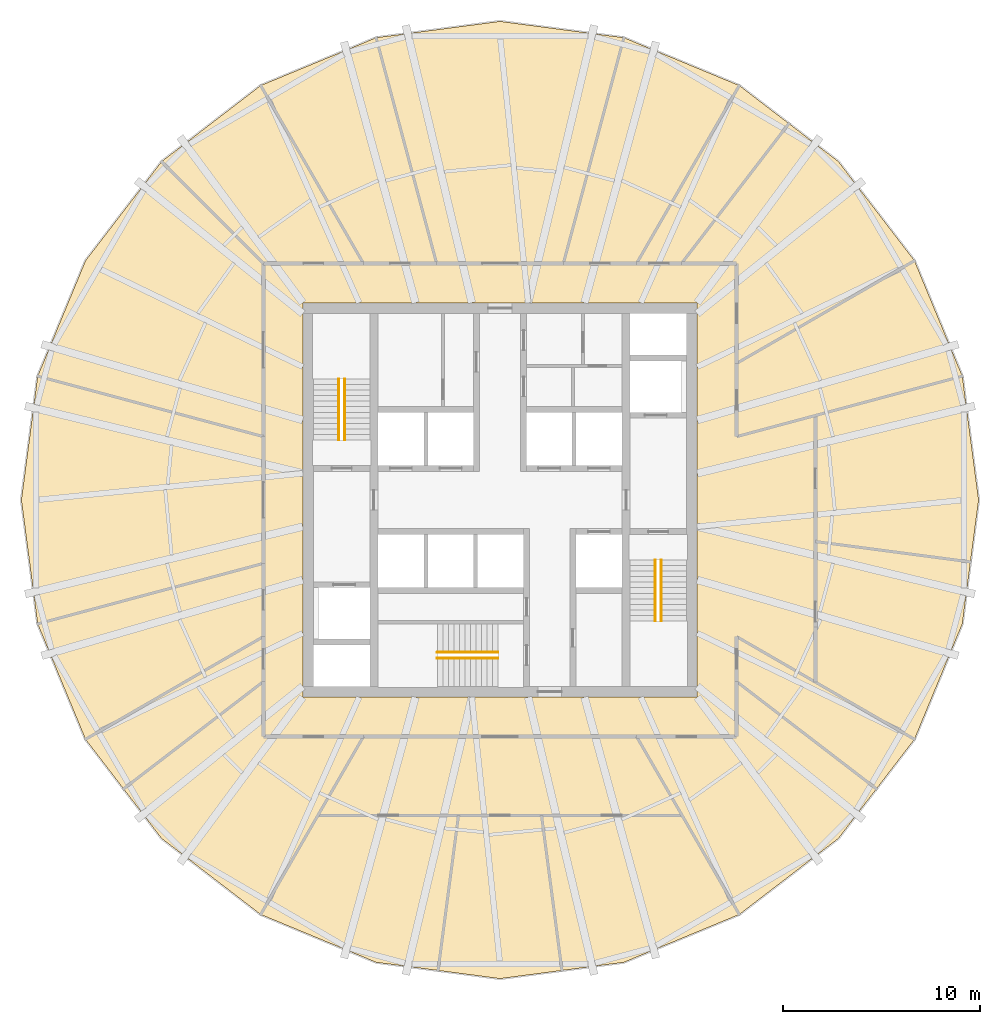
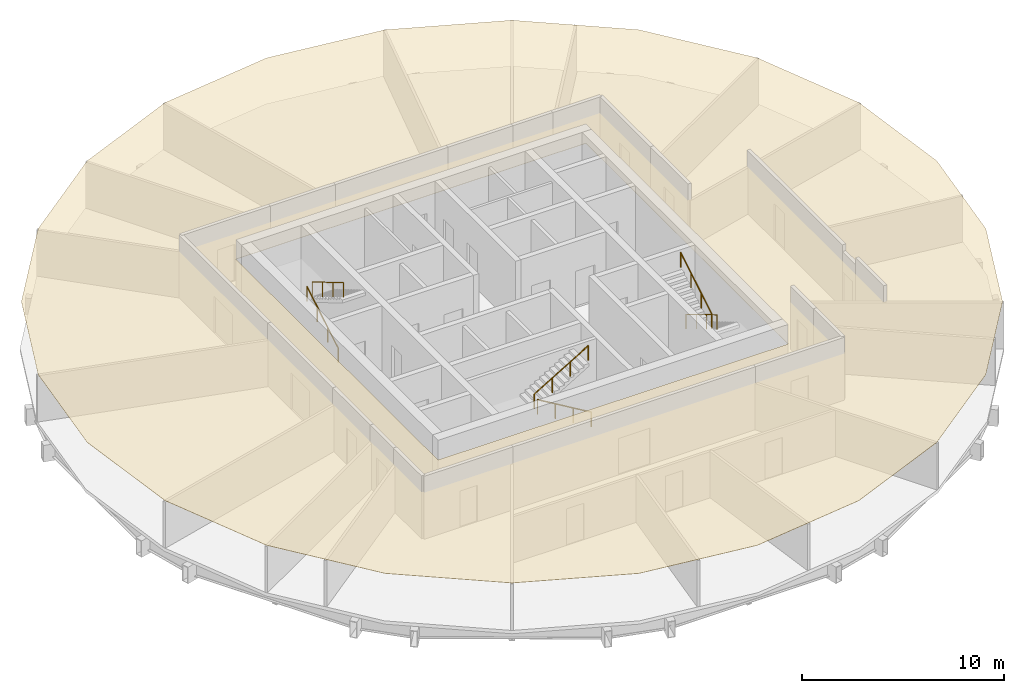
# One storey, part 6 of 6: 6 railings, 1 covering.
"""IFC4 building model written with IfcOpenShell, lengths in metres."""

from ifc_helpers import new_model, si_unit, direction, frame, origin, origin_2d, place, context, subcontext, project, spatial, polyline, circle, outline, extrude, material, layer, layer_set, type_object, element, save


model = new_model("IFC4")

# Units and contexts
model_context = context("Model", 3, precision=1e-05, world=origin(), true_north=direction((0.0, 1.0)))
body_context = subcontext(model_context, "Body", "Model", "MODEL_VIEW")
ifc_project = project(units=[si_unit("LENGTHUNIT", "METRE"), si_unit("AREAUNIT", "SQUARE_METRE"), si_unit("VOLUMEUNIT", "CUBIC_METRE"), si_unit("PLANEANGLEUNIT", "RADIAN"), si_unit("MASSUNIT", "GRAM", prefix="KILO")], contexts=[model_context])

# Site, building, storey
site_placement = place(None, origin())
site = spatial("IfcSite", under=ifc_project, at=site_placement, CompositionType="ELEMENT")
building_placement = place(site_placement, origin())
building = spatial("IfcBuilding", under=site, at=building_placement, Name="Golbaran Civic Tower", CompositionType="ELEMENT")
storey_placement = place(building_placement, frame((0.0, 0.0, 138.0)))
storey = spatial("IfcBuildingStorey", under=building, at=storey_placement, Name="L33", CompositionType="ELEMENT", Elevation=138.0)

# Railings
ifc_material_1 = material(Name="Stainless steel", Category="steel")
railing_type = type_object("IfcRailingType", Name="STAIR HANDRAIL 900", PredefinedType="HANDRAIL", material=ifc_material_1)
railing_1_placement = place(storey_placement, frame((-8.175048828125, 3.050048828125, 0.166748046875)))
element("IfcRailing", 1, at=railing_1_placement, inside=storey, type_object=railing_type, Name="Stair S1 handrail flight 1 L33", PredefinedType="HANDRAIL", context=body_context, shape_type="SweptSolid", body=[
    extrude(circle(Radius=0.02392578125, at=origin_2d()), frame((0.0, 0.0, 0.8759765625), z_axis=(0.0, 0.859290745958, 0.51148745235), x_axis=(-1.0, 0.0, 0.0)), (0.0, 0.0, 1.0), 3.584228515625),
    extrude(circle(Radius=0.02099609375, at=origin_2d()), origin(), (0.0, 0.0, 1.0), 0.851806640625),
    extrude(circle(Radius=0.02099609375, at=origin_2d()), frame((0.0, 1.026611328125, 0.611083984375)), (0.0, 0.0, 1.0), 0.851806640625),
    extrude(circle(Radius=0.02099609375, at=origin_2d()), frame((0.0, 2.05322265625, 1.22216796875)), (0.0, 0.0, 1.0), 0.851806640625),
    extrude(circle(Radius=0.02099609375, at=origin_2d()), frame((0.0, 3.079833984375, 1.833251953125)), (0.0, 0.0, 1.0), 0.851806640625),
])
for number, where, name in (
    (2, (-7.875, 6.1298828125, 2.166748046875), "Stair S1 handrail flight 2 L33"),
    (3, (8.175048828125, -3.050048828125, 0.166748046875), "Stair S2 handrail flight 1 L33"),
):
    element("IfcRailing", number, at=place(storey_placement, frame(where)), inside=storey, type_object=railing_type, Name=name, PredefinedType="HANDRAIL", context=body_context, shape_type="SweptSolid", body=[
        extrude(circle(Radius=0.02392578125, at=origin_2d()), frame((0.0, 0.0, 0.8759765625), z_axis=(0.0, -0.859290745958, 0.51148745235), x_axis=(1.0, 0.0, 0.0)), (0.0, 0.0, 1.0), 3.584228515625),
        extrude(circle(Radius=0.02099609375, at=origin_2d()), origin(), (0.0, 0.0, 1.0), 0.851806640625),
        extrude(circle(Radius=0.02099609375, at=origin_2d()), frame((0.0, -1.026611328125, 0.611083984375)), (0.0, 0.0, 1.0), 0.851806640625),
        extrude(circle(Radius=0.02099609375, at=origin_2d()), frame((0.0, -2.05322265625, 1.22216796875)), (0.0, 0.0, 1.0), 0.851806640625),
        extrude(circle(Radius=0.02099609375, at=origin_2d()), frame((0.0, -3.079833984375, 1.833251953125)), (0.0, 0.0, 1.0), 0.851806640625),
    ])
railing_2_placement = place(storey_placement, frame((7.875, -6.1298828125, 2.166748046875)))
element("IfcRailing", 4, at=railing_2_placement, inside=storey, type_object=railing_type, Name="Stair S2 handrail flight 2 L33", PredefinedType="HANDRAIL", context=body_context, shape_type="SweptSolid", body=[
    extrude(circle(Radius=0.02392578125, at=origin_2d()), frame((0.0, 0.0, 0.8759765625), z_axis=(0.0, 0.859290745958, 0.51148745235), x_axis=(-1.0, 0.0, 0.0)), (0.0, 0.0, 1.0), 3.584228515625),
    extrude(circle(Radius=0.02099609375, at=origin_2d()), origin(), (0.0, 0.0, 1.0), 0.851806640625),
    extrude(circle(Radius=0.02099609375, at=origin_2d()), frame((0.0, 1.026611328125, 0.611083984375)), (0.0, 0.0, 1.0), 0.851806640625),
    extrude(circle(Radius=0.02099609375, at=origin_2d()), frame((0.0, 2.05322265625, 1.22216796875)), (0.0, 0.0, 1.0), 0.851806640625),
    extrude(circle(Radius=0.02099609375, at=origin_2d()), frame((0.0, 3.079833984375, 1.833251953125)), (0.0, 0.0, 1.0), 0.851806640625),
])
railing_3_placement = place(storey_placement, frame((-0.10009765625, -8.02490234375, 0.166748046875)))
element("IfcRailing", 5, at=railing_3_placement, inside=storey, type_object=railing_type, Name="Stair S3 handrail flight 1 L33", PredefinedType="HANDRAIL", context=body_context, shape_type="SweptSolid", body=[
    extrude(circle(Radius=0.02392578125, at=origin_2d()), frame((0.0, 0.0, 0.8759765625), z_axis=(-0.859290745958, 0.0, 0.51148745235), x_axis=(0.0, -1.0, 0.0)), (0.0, 0.0, 1.0), 3.584228515625),
    extrude(circle(Radius=0.02099609375, at=origin_2d()), origin(), (0.0, 0.0, 1.0), 0.851806640625),
    extrude(circle(Radius=0.02099609375, at=origin_2d()), frame((-1.026611328125, 0.0, 0.611083984375)), (0.0, 0.0, 1.0), 0.851806640625),
    extrude(circle(Radius=0.02099609375, at=origin_2d()), frame((-2.05322265625, 0.0, 1.22216796875)), (0.0, 0.0, 1.0), 0.851806640625),
    extrude(circle(Radius=0.02099609375, at=origin_2d()), frame((-3.079833984375, 0.0, 1.833251953125)), (0.0, 0.0, 1.0), 0.851806640625),
])
railing_4_placement = place(storey_placement, frame((-3.179931640625, -7.72509765625, 2.166748046875)))
element("IfcRailing", 6, at=railing_4_placement, inside=storey, type_object=railing_type, Name="Stair S3 handrail flight 2 L33", PredefinedType="HANDRAIL", context=body_context, shape_type="SweptSolid", body=[
    extrude(circle(Radius=0.02392578125, at=origin_2d()), frame((0.0, 0.0, 0.8759765625), z_axis=(0.859290745958, 0.0, 0.51148745235), x_axis=(0.0, 1.0, 0.0)), (0.0, 0.0, 1.0), 3.584228515625),
    extrude(circle(Radius=0.02099609375, at=origin_2d()), origin(), (0.0, 0.0, 1.0), 0.851806640625),
    extrude(circle(Radius=0.02099609375, at=origin_2d()), frame((1.026611328125, 0.0, 0.611083984375)), (0.0, 0.0, 1.0), 0.851806640625),
    extrude(circle(Radius=0.02099609375, at=origin_2d()), frame((2.05322265625, 0.0, 1.22216796875)), (0.0, 0.0, 1.0), 0.851806640625),
    extrude(circle(Radius=0.02099609375, at=origin_2d()), frame((3.079833984375, 0.0, 1.833251953125)), (0.0, 0.0, 1.0), 0.851806640625),
])

# Covering
ifc_material_2 = material(Name="Mineral fibre tile on steel grid", Category="steel")
ifc_layer = layer(ifc_material_2, 0.02001953125, Name="Mineral fibre tile on steel grid")
ifc_layer_set = layer_set([ifc_layer], Name="Mineral fibre tile on steel grid")
covering_type = type_object("IfcCoveringType", Name="SUSPENDED CEILING 600 TILE 20", PredefinedType="CEILING", material=ifc_layer_set)
covering_placement = place(storey_placement, frame((0.0, 0.0, 2.800048828125)))
element("IfcCovering", 7, at=covering_placement, inside=storey, type_object=covering_type, Name="Suspended ceiling L33", PredefinedType="CEILING", context=body_context, shape_type="SweptSolid", body=[
    extrude(outline(polyline([(-21.022705078125, 12.137451171875), (-17.1650390625, 17.1650390625), (-12.137451171875, 21.022705078125), (-6.28271484375, 23.44775390625), (0.0, 24.27490234375), (6.28271484375, 23.44775390625), (12.137451171875, 21.022705078125), (17.1650390625, 17.1650390625), (21.022705078125, 12.137451171875), (23.44775390625, 6.28271484375), (24.27490234375, 0.0), (23.44775390625, -6.28271484375), (21.022705078125, -12.137451171875), (17.1650390625, -17.1650390625), (12.137451171875, -21.022705078125), (6.28271484375, -23.44775390625), (3.2900390625, -23.841796875), (0.0, -24.27490234375), (-6.28271484375, -23.44775390625), (-12.137451171875, -21.022705078125), (-17.1650390625, -17.1650390625), (-21.022705078125, -12.137451171875), (-23.44775390625, -6.28271484375), (-24.27490234375, 0.0), (-23.44775390625, 6.28271484375), (-21.022705078125, 12.137451171875)]), holes=[polyline([(-10.0, 10.0), (-10.0, -10.0), (10.0, -10.0), (10.0, 10.0), (-10.0, 10.0)])]), origin(), (0.0, 0.0, 1.0), 0.02001953125),
])

save(model, "model.ifc")
